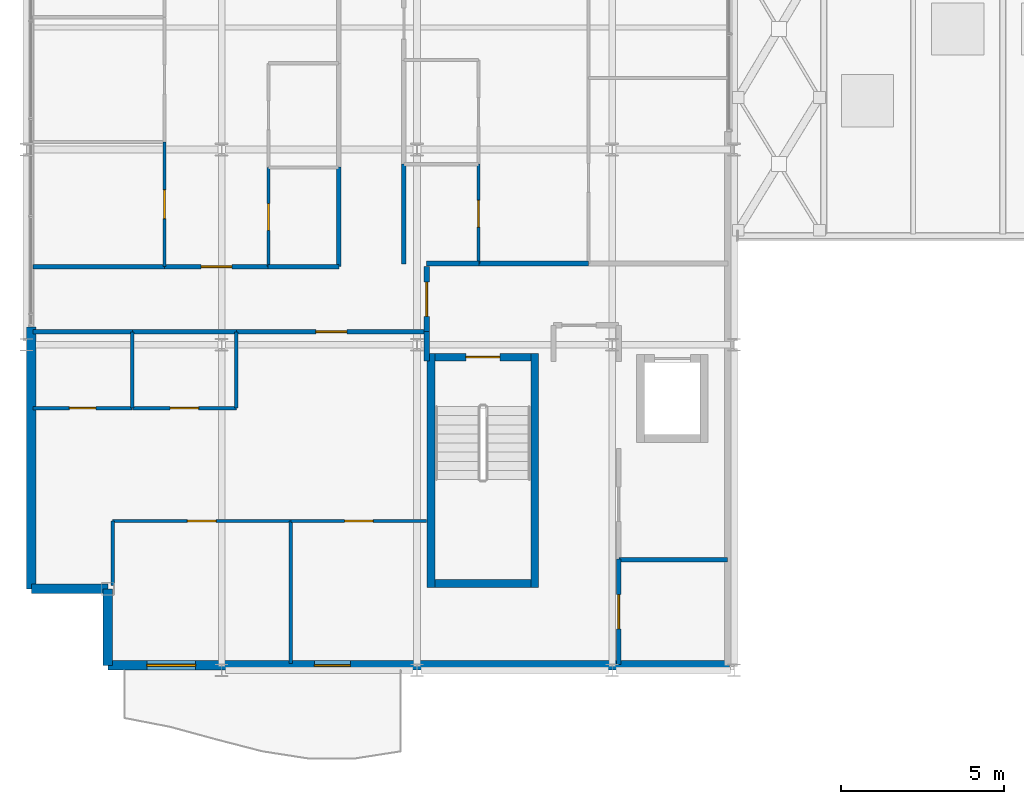
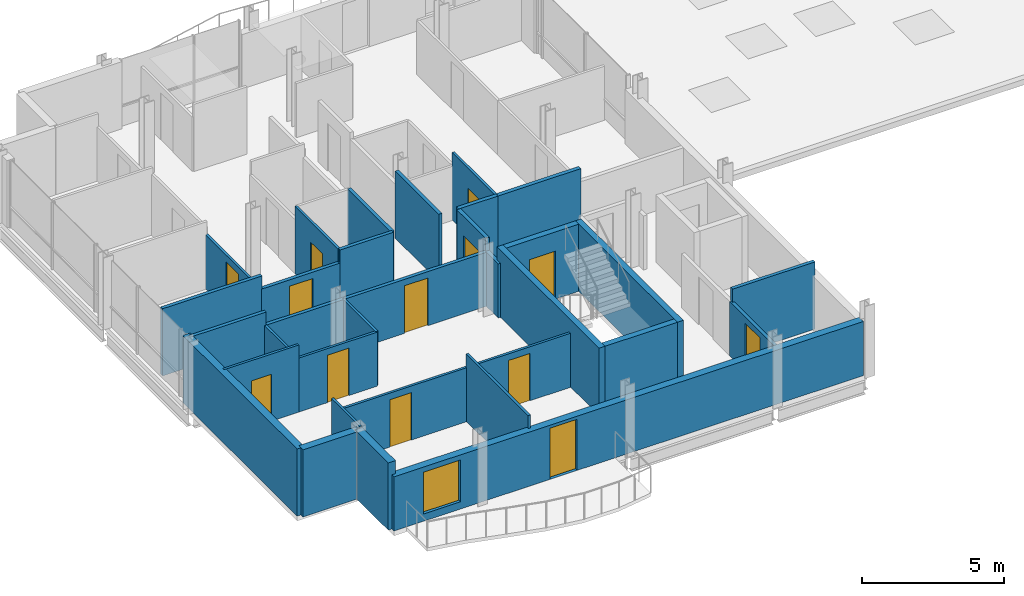
# One storey, part 27 of 33: 33 walls, 13 doors, 1 window, 14 openings.
"""IFC4 building model written with IfcOpenShell, lengths in metres."""

from ifc_helpers import new_model, si_unit, direction, frame, frame_2d, origin, place, context, subcontext, project, spatial, rectangle, extrude, material, layer, layer_set, type_object, element, fill, save


model = new_model("IFC4")

# Units and contexts
model_context = context("Model", 3, precision=1e-05, world=origin(), true_north=direction((0.0, 1.0)))
body_context = subcontext(model_context, "Body", "Model", "MODEL_VIEW")
ifc_project = project(units=[si_unit("LENGTHUNIT", "METRE"), si_unit("AREAUNIT", "SQUARE_METRE"), si_unit("VOLUMEUNIT", "CUBIC_METRE"), si_unit("PLANEANGLEUNIT", "RADIAN"), si_unit("MASSUNIT", "GRAM", prefix="KILO")], contexts=[model_context])

# Site, building, storey
site_placement = place(None, origin())
site = spatial("IfcSite", under=ifc_project, at=site_placement, CompositionType="ELEMENT")
building_placement = place(site_placement, origin())
building = spatial("IfcBuilding", under=site, at=building_placement, Name="Brevholm Reach", CompositionType="ELEMENT")
storey_placement = place(building_placement, frame((0.0, 0.0, 189.39990234375)))
storey = spatial("IfcBuildingStorey", under=building, at=storey_placement, Name="L57", CompositionType="ELEMENT", Elevation=189.39990234375)

# Walls
ifc_material_1 = material(Name="Concrete C45/55", Category="concrete")
ifc_layer_1 = layer(ifc_material_1, 0.239990234375)
ifc_layer_set_1 = layer_set([ifc_layer_1], Name="Concrete C45/55")
wall_type_1 = type_object("IfcWallType", Name="WAL-COR-240", PredefinedType="SHEAR", material=ifc_layer_set_1)
for number, where, z_axis, x_axis, name in (
    (1, (12.429931640625, 2.5400390625, 0.0), (0.0, 0.0, 1.0), (0.0, 1.0, 0.0), "L57 Escape Stair ST-1 Core Wall W"),
    (2, (15.6201171875, 2.5400390625, 0.0), (0.0, 0.0, 1.0), (0.0, 1.0, 0.0), "L57 Escape Stair ST-1 Core Wall E"),
):
    element("IfcWall", number, at=place(storey_placement, frame(where, z_axis=z_axis, x_axis=x_axis)), inside=storey, type_object=wall_type_1, Name=name, PredefinedType="SHEAR", context=body_context, shape_type="SweptSolid", body=[
        extrude(rectangle(XDim=7.199951171875, YDim=0.239990234375, at=frame_2d((3.60009765625, 0.0))), origin(), (0.0, 0.0, 1.0), 2.89013671875),
    ])
wall_1_placement = place(storey_placement, frame((12.550048828125, 2.659912109375, 0.0), z_axis=(0.0, 0.0, 1.0), x_axis=(1.0, 0.0, 0.0)))
element("IfcWall", 3, at=wall_1_placement, inside=storey, type_object=wall_type_1, Name="L57 Escape Stair ST-1 Core Wall S", PredefinedType="SHEAR", context=body_context, shape_type="SweptSolid", body=[
    extrude(rectangle(XDim=2.949951171875, YDim=0.239990234375, at=frame_2d((1.47509765625, 0.0))), origin(), (0.0, 0.0, 1.0), 2.89013671875),
])

# Wall, opening, door
wall_2_placement = place(storey_placement, frame((15.5, 9.6201171875, 0.0), z_axis=(0.0, 0.0, 1.0), x_axis=(-1.0, 0.0, 0.0)))
wall_2 = element("IfcWall", 4, at=wall_2_placement, inside=storey, type_object=wall_type_1, Name="L57 Escape Stair ST-1 Core Wall N", PredefinedType="SHEAR", context=body_context, shape_type="SweptSolid", body=[
    extrude(rectangle(XDim=2.949951171875, YDim=0.239990234375, at=frame_2d((1.47509765625, 0.0))), origin(), (0.0, 0.0, 1.0), 2.89013671875),
])
opening_1_placement = place(wall_2_placement, frame((0.949951171875, 0.0, 0.0)))
opening_1 = element("IfcOpeningElement", 5, at=opening_1_placement, cuts=wall_2, Name="Opening SD-ST-1", PredefinedType="OPENING", context=body_context, shape_type="SweptSolid", body=[
    extrude(rectangle(XDim=1.050048828125, YDim=2.06005859375, at=frame_2d((0.52490234375, 1.030029296875))), frame((0.0, 0.1298828125, 0.0), z_axis=(0.0, -1.0, 0.0), x_axis=(1.0, 0.0, 0.0)), (0.0, 0.0, 1.0), 0.260009765625),
])
ifc_material_2 = material(Name="Hardwood-Lipped Steel-Core Fire and Smoke Door", Category="steel")
door_type_1 = type_object("IfcDoorType", Name="DOR-INT-FD60S", OperationType="NOTDEFINED", PredefinedType="DOOR", material=ifc_material_2)
door_1_placement = place(opening_1_placement, origin())
door_1 = element("IfcDoor", 6, at=door_1_placement, inside=storey, type_object=door_type_1, Name="L57 Protected Stair ST-1 Lobby Door", OperationType="SINGLE_SWING_LEFT", OverallHeight=2.06005859375, OverallWidth=1.050048828125, PredefinedType="DOOR", context=body_context, shape_type="SweptSolid", body=[
    extrude(rectangle(XDim=1.050048828125, YDim=2.06005859375, at=frame_2d((0.52490234375, 1.030029296875))), frame((0.0, 0.02490234375, 0.0), z_axis=(0.0, -1.0, 0.0), x_axis=(1.0, 0.0, 0.0)), (0.0, 0.0, 1.0), 0.050048828125),
])
fill(opening_1, door_1)

# Walls
ifc_material_3 = material(Name="Concrete C40/50", Category="concrete")
ifc_layer_2 = layer(ifc_material_3, 0.300048828125)
ifc_layer_set_2 = layer_set([ifc_layer_2], Name="Concrete C40/50")
wall_type_2 = type_object("IfcWallType", Name="WAL-EXT-300", PredefinedType="STANDARD", material=ifc_layer_set_2)
for number, where, z_axis, x_axis, name in (
    (7, (2.5, 2.5, 0.0), (0.0, 0.0, 1.0), (0.0, -1.0, 0.0), "L57 Facade Wall WAL-L57-WW-CSW1"),
    (8, (0.14990234375, 2.5, 0.0), (0.0, 0.0, 1.0), (1.0, 0.0, 0.0), "L57 Facade Wall WAL-L57-WW-CSW2"),
):
    element("IfcWall", number, at=place(storey_placement, frame(where, z_axis=z_axis, x_axis=x_axis)), inside=storey, type_object=wall_type_2, Name=name, PredefinedType="STANDARD", context=body_context, shape_type="SweptSolid", body=[
        extrude(rectangle(XDim=2.35009765625, YDim=0.300048828125, at=frame_2d((1.175048828125, 0.0))), origin(), (0.0, 0.0, 1.0), 2.89013671875),
    ])

# Wall, openings, door, window
wall_3_placement = place(storey_placement, frame((2.5, 0.14990234375, 0.0), z_axis=(0.0, 0.0, 1.0), x_axis=(1.0, 0.0, 0.0)))
wall_3 = element("IfcWall", 9, at=wall_3_placement, inside=storey, type_object=wall_type_2, Name="L57 Facade Wall WAL-L57-WW-S", PredefinedType="STANDARD", context=body_context, shape_type="SweptSolid", body=[
    extrude(rectangle(XDim=19.10009765625, YDim=0.300048828125, at=frame_2d((9.550048828125, 0.0))), origin(), (0.0, 0.0, 1.0), 2.33203125),
])
opening_2_placement = place(wall_3_placement, frame((6.35009765625, 0.0, 0.0)))
opening_2 = element("IfcOpeningElement", 10, at=opening_2_placement, cuts=wall_3, Name="Opening BD-01", PredefinedType="OPENING", context=body_context, shape_type="SweptSolid", body=[
    extrude(rectangle(XDim=1.10009765625, YDim=2.199951171875, at=frame_2d((0.550048828125, 1.10009765625))), frame((0.0, 0.159912109375, 0.0), z_axis=(0.0, -1.0, 0.0), x_axis=(1.0, 0.0, 0.0)), (0.0, 0.0, 1.0), 0.320068359375),
])
opening_3_placement = place(wall_3_placement, frame((1.199951171875, 0.0, 0.31201171875)))
opening_3 = element("IfcOpeningElement", 11, at=opening_3_placement, cuts=wall_3, Name="Opening WN-05", PredefinedType="OPENING", context=body_context, shape_type="SweptSolid", body=[
    extrude(rectangle(XDim=1.5, YDim=1.800048828125, at=frame_2d((0.75, 0.89990234375))), frame((0.0, 0.159912109375, 0.0), z_axis=(0.0, -1.0, 0.0), x_axis=(1.0, 0.0, 0.0)), (0.0, 0.0, 1.0), 0.320068359375),
])
ifc_material_4 = material(Name="Dark Anodised Aluminium and Triple-Glazed Glass", Category="aluminium")
door_type_2 = type_object("IfcDoorType", Name="DOR-BALC-1100", OperationType="NOTDEFINED", PredefinedType="DOOR", material=ifc_material_4)
door_2_placement = place(opening_2_placement, origin())
door_2 = element("IfcDoor", 12, at=door_2_placement, inside=storey, type_object=door_type_2, Name="L57 Exterior Door DOR-L57-BL-SW", OperationType="SINGLE_SWING_LEFT", OverallHeight=2.199951171875, OverallWidth=1.10009765625, PredefinedType="DOOR", context=body_context, shape_type="SweptSolid", body=[
    extrude(rectangle(XDim=1.10009765625, YDim=2.199951171875, at=frame_2d((0.550048828125, 1.10009765625))), frame((0.0, 0.02490234375, 0.0), z_axis=(0.0, -1.0, 0.0), x_axis=(1.0, 0.0, 0.0)), (0.0, 0.0, 1.0), 0.050048828125),
])
fill(opening_2, door_2)
ifc_material_5 = material(Name="Dark Anodised Aluminium and Solar-Control IGU Glass", Category="aluminium")
window_type = type_object("IfcWindowType", Name="WIN-RES-1500", PartitioningType="SINGLE_PANEL", PredefinedType="WINDOW", material=ifc_material_5)
window_placement = place(opening_3_placement, origin())
window = element("IfcWindow", 13, at=window_placement, inside=storey, type_object=window_type, Name="L57 Window WIN-L57-WWS-1", OverallHeight=1.800048828125, OverallWidth=1.5, PartitioningType="SINGLE_PANEL", PredefinedType="WINDOW", context=body_context, shape_type="SweptSolid", body=[
    extrude(rectangle(XDim=1.5, YDim=1.800048828125, at=frame_2d((0.75, 0.89990234375))), frame((0.0, 0.030029296875, 0.0), z_axis=(0.0, -1.0, 0.0), x_axis=(1.0, 0.0, 0.0)), (0.0, 0.0, 1.0), 0.06005859375),
])
fill(opening_3, window)

# Walls
wall_4_placement = place(storey_placement, frame((0.14990234375, 10.550048828125, 0.0), z_axis=(0.0, 0.0, 1.0), x_axis=(0.0, -1.0, 0.0)))
element("IfcWall", 14, at=wall_4_placement, inside=storey, type_object=wall_type_2, Name="L57 Facade Wall WAL-L57-WW-WS", PredefinedType="STANDARD", context=body_context, shape_type="SweptSolid", body=[
    extrude(rectangle(XDim=8.050048828125, YDim=0.300048828125, at=frame_2d((4.02490234375, 0.0))), origin(), (0.0, 0.0, 1.0), 2.89013671875),
])
ifc_material_6 = material(Name="Moisture-Resistant Acoustic Gypsum Stud Partition 100 mm", Category="gypsum")
ifc_layer_3 = layer(ifc_material_6, 0.10009765625)
ifc_layer_set_3 = layer_set([ifc_layer_3], Name="Moisture-Resistant Acoustic Gypsum Stud Partition 100 mm")
wall_type_3 = type_object("IfcWallType", Name="WAL-PRT-100", PredefinedType="PARTITIONING", material=ifc_layer_set_3)
wall_5_placement = place(storey_placement, frame((3.25, 8.053955078125, 0.0), z_axis=(0.0, 0.0, 1.0), x_axis=(0.0, 1.0, 0.0)))
element("IfcWall", 15, at=wall_5_placement, inside=storey, type_object=wall_type_3, Name="L57 Internal Partition 040", PredefinedType="PARTITIONING", context=body_context, shape_type="SweptSolid", body=[
    extrude(rectangle(XDim=2.342041015625, YDim=0.10009765625, at=frame_2d((1.1708984375, 0.0))), origin(), (0.0, 0.0, 1.0), 2.32568359375),
])

# Wall, opening, door
wall_6_placement = place(storey_placement, frame((0.199951171875, 8.053955078125, 0.0), z_axis=(0.0, 0.0, 1.0), x_axis=(1.0, 0.0, 0.0)))
wall_6 = element("IfcWall", 16, at=wall_6_placement, inside=storey, type_object=wall_type_3, Name="L57 Internal Partition 041", PredefinedType="PARTITIONING", context=body_context, shape_type="SweptSolid", body=[
    extrude(rectangle(XDim=3.050048828125, YDim=0.10009765625, at=frame_2d((1.52490234375, 0.0))), origin(), (0.0, 0.0, 1.0), 2.89013671875),
])
opening_4_placement = place(wall_6_placement, frame((1.114990234375, 0.0, 0.0)))
opening_4 = element("IfcOpeningElement", 17, at=opening_4_placement, cuts=wall_6, Name="Opening ID-03", PredefinedType="OPENING", context=body_context, shape_type="SweptSolid", body=[
    extrude(rectangle(XDim=0.820068359375, YDim=2.02001953125, at=frame_2d((0.41015625, 1.010009765625))), frame((0.0, 0.06005859375, 0.0), z_axis=(0.0, -1.0, 0.0), x_axis=(1.0, 0.0, 0.0)), (0.0, 0.0, 1.0), 0.1201171875),
])
ifc_material_7 = material(Name="Moisture-Resistant Painted Timber Internal Bathroom Door", Category="wood")
door_type_3 = type_object("IfcDoorType", Name="DOR-BATH-820", OperationType="NOTDEFINED", PredefinedType="DOOR", material=ifc_material_7)
door_3_placement = place(opening_4_placement, origin())
door_3 = element("IfcDoor", 18, at=door_3_placement, inside=storey, type_object=door_type_3, Name="L57 Internal Door 016", OperationType="SINGLE_SWING_RIGHT", OverallHeight=2.02001953125, OverallWidth=0.820068359375, PredefinedType="DOOR", context=body_context, shape_type="SweptSolid", body=[
    extrude(rectangle(XDim=0.820068359375, YDim=2.02001953125, at=frame_2d((0.41015625, 1.010009765625))), frame((0.0, 0.02490234375, 0.0), z_axis=(0.0, -1.0, 0.0), x_axis=(1.0, 0.0, 0.0)), (0.0, 0.0, 1.0), 0.050048828125),
])
fill(opening_4, door_3)

wall_7_placement = place(storey_placement, frame((3.25390625, 8.053955078125, 0.0), z_axis=(0.0, 0.0, 1.0), x_axis=(1.0, 0.0, 0.0)))
wall_7 = element("IfcWall", 19, at=wall_7_placement, inside=storey, type_object=wall_type_3, Name="L57 Internal Partition 042", PredefinedType="PARTITIONING", context=body_context, shape_type="SweptSolid", body=[
    extrude(rectangle(XDim=3.196044921875, YDim=0.10009765625, at=frame_2d((1.59814453125, 0.0))), origin(), (0.0, 0.0, 1.0), 2.32568359375),
])
opening_5_placement = place(wall_7_placement, frame((1.157958984375, 0.0, 0.0)))
opening_5 = element("IfcOpeningElement", 20, at=opening_5_placement, cuts=wall_7, Name="Opening ID-01", PredefinedType="OPENING", context=body_context, shape_type="SweptSolid", body=[
    extrude(rectangle(XDim=0.8798828125, YDim=2.0400390625, at=frame_2d((0.43994140625, 1.02001953125))), frame((0.0, 0.06005859375, 0.0), z_axis=(0.0, -1.0, 0.0), x_axis=(1.0, 0.0, 0.0)), (0.0, 0.0, 1.0), 0.1201171875),
])
ifc_material_8 = material(Name="Lacquered Ash Solid-Core Acoustic Internal Door", Category="timber")
door_type_4 = type_object("IfcDoorType", Name="DOR-INT-880", OperationType="NOTDEFINED", PredefinedType="DOOR", material=ifc_material_8)
door_4_placement = place(opening_5_placement, origin())
door_4 = element("IfcDoor", 21, at=door_4_placement, inside=storey, type_object=door_type_4, Name="L57 Internal Door 017", OperationType="SINGLE_SWING_LEFT", OverallHeight=2.0400390625, OverallWidth=0.8798828125, PredefinedType="DOOR", context=body_context, shape_type="SweptSolid", body=[
    extrude(rectangle(XDim=0.8798828125, YDim=2.0400390625, at=frame_2d((0.43994140625, 1.02001953125))), frame((0.0, 0.02490234375, 0.0), z_axis=(0.0, -1.0, 0.0), x_axis=(1.0, 0.0, 0.0)), (0.0, 0.0, 1.0), 0.050048828125),
])
fill(opening_5, door_4)

# Walls
wall_8_placement = place(storey_placement, frame((6.449951171875, 8.053955078125, 0.0), z_axis=(0.0, 0.0, 1.0), x_axis=(0.0, 1.0, 0.0)))
element("IfcWall", 22, at=wall_8_placement, inside=storey, type_object=wall_type_3, Name="L57 Internal Partition 043", PredefinedType="PARTITIONING", context=body_context, shape_type="SweptSolid", body=[
    extrude(rectangle(XDim=2.342041015625, YDim=0.10009765625, at=frame_2d((1.1708984375, 0.0))), origin(), (0.0, 0.0, 1.0), 2.32568359375),
])
wall_9_placement = place(storey_placement, frame((8.125, 0.199951171875, 0.0), z_axis=(0.0, 0.0, 1.0), x_axis=(0.0, 1.0, 0.0)))
element("IfcWall", 23, at=wall_9_placement, inside=storey, type_object=wall_type_3, Name="L57 Internal Partition 044", PredefinedType="PARTITIONING", context=body_context, shape_type="SweptSolid", body=[
    extrude(rectangle(XDim=4.385986328125, YDim=0.10009765625, at=frame_2d((2.19287109375, 0.0))), origin(), (0.0, 0.0, 1.0), 2.89013671875),
])
wall_10_placement = place(storey_placement, frame((2.64990234375, 2.599365234375, 0.0), z_axis=(0.0, 0.0, 1.0), x_axis=(0.0, 1.0, 0.0)))
element("IfcWall", 24, at=wall_10_placement, inside=storey, type_object=wall_type_3, Name="L57 Internal Partition 045", PredefinedType="PARTITIONING", context=body_context, shape_type="SweptSolid", body=[
    extrude(rectangle(XDim=1.986572265625, YDim=0.10009765625, at=frame_2d((0.9931640625, 0.0))), origin(), (0.0, 0.0, 1.0), 2.89013671875),
])

# Wall, opening, door
wall_11_placement = place(storey_placement, frame((2.64990234375, 4.5859375, 0.0), z_axis=(0.0, 0.0, 1.0), x_axis=(1.0, 0.0, 0.0)))
wall_11 = element("IfcWall", 25, at=wall_11_placement, inside=storey, type_object=wall_type_3, Name="L57 Internal Partition 046", PredefinedType="PARTITIONING", context=body_context, shape_type="SweptSolid", body=[
    extrude(rectangle(XDim=5.47509765625, YDim=0.10009765625, at=frame_2d((2.737548828125, 0.0))), origin(), (0.0, 0.0, 1.0), 2.32568359375),
])
opening_6_placement = place(wall_11_placement, frame((2.297607421875, 0.0, 0.0)))
opening_6 = element("IfcOpeningElement", 26, at=opening_6_placement, cuts=wall_11, Name="Opening ID-01", PredefinedType="OPENING", context=body_context, shape_type="SweptSolid", body=[
    extrude(rectangle(XDim=0.8798828125, YDim=2.0400390625, at=frame_2d((0.43994140625, 1.02001953125))), frame((0.0, 0.06005859375, 0.0), z_axis=(0.0, -1.0, 0.0), x_axis=(1.0, 0.0, 0.0)), (0.0, 0.0, 1.0), 0.1201171875),
])
door_5_placement = place(opening_6_placement, origin())
door_5 = element("IfcDoor", 27, at=door_5_placement, inside=storey, type_object=door_type_4, Name="L57 Internal Door 018", OperationType="SINGLE_SWING_RIGHT", OverallHeight=2.0400390625, OverallWidth=0.8798828125, PredefinedType="DOOR", context=body_context, shape_type="SweptSolid", body=[
    extrude(rectangle(XDim=0.8798828125, YDim=2.0400390625, at=frame_2d((0.43994140625, 1.02001953125))), frame((0.0, 0.02490234375, 0.0), z_axis=(0.0, -1.0, 0.0), x_axis=(1.0, 0.0, 0.0)), (0.0, 0.0, 1.0), 0.050048828125),
])
fill(opening_6, door_5)

wall_12_placement = place(storey_placement, frame((8.12890625, 4.5859375, 0.0), z_axis=(0.0, 0.0, 1.0), x_axis=(1.0, 0.0, 0.0)))
wall_12 = element("IfcWall", 28, at=wall_12_placement, inside=storey, type_object=wall_type_3, Name="L57 Internal Partition 047", PredefinedType="PARTITIONING", context=body_context, shape_type="SweptSolid", body=[
    extrude(rectangle(XDim=4.171142578125, YDim=0.10009765625, at=frame_2d((2.08544921875, 0.0))), origin(), (0.0, 0.0, 1.0), 2.32568359375),
])
opening_7_placement = place(wall_12_placement, frame((1.6455078125, 0.0, 0.0)))
opening_7 = element("IfcOpeningElement", 29, at=opening_7_placement, cuts=wall_12, Name="Opening ID-01", PredefinedType="OPENING", context=body_context, shape_type="SweptSolid", body=[
    extrude(rectangle(XDim=0.8798828125, YDim=2.0400390625, at=frame_2d((0.43994140625, 1.02001953125))), frame((0.0, 0.06005859375, 0.0), z_axis=(0.0, -1.0, 0.0), x_axis=(1.0, 0.0, 0.0)), (0.0, 0.0, 1.0), 0.1201171875),
])
door_6_placement = place(opening_7_placement, origin())
door_6 = element("IfcDoor", 30, at=door_6_placement, inside=storey, type_object=door_type_4, Name="L57 Internal Door 019", OperationType="SINGLE_SWING_LEFT", OverallHeight=2.0400390625, OverallWidth=0.8798828125, PredefinedType="DOOR", context=body_context, shape_type="SweptSolid", body=[
    extrude(rectangle(XDim=0.8798828125, YDim=2.0400390625, at=frame_2d((0.43994140625, 1.02001953125))), frame((0.0, 0.02490234375, 0.0), z_axis=(0.0, -1.0, 0.0), x_axis=(1.0, 0.0, 0.0)), (0.0, 0.0, 1.0), 0.050048828125),
])
fill(opening_7, door_6)

wall_13_placement = place(storey_placement, frame((7.43798828125, 12.404052734375, 0.0), z_axis=(0.0, 0.0, 1.0), x_axis=(0.0, 1.0, 0.0)))
wall_13 = element("IfcWall", 31, at=wall_13_placement, inside=storey, type_object=wall_type_3, Name="L57 Internal Partition 049", PredefinedType="PARTITIONING", context=body_context, shape_type="SweptSolid", body=[
    extrude(rectangle(XDim=3.0458984375, YDim=0.10009765625, at=frame_2d((1.52294921875, 0.0))), origin(), (0.0, 0.0, 1.0), 2.89013671875),
])
opening_8_placement = place(wall_13_placement, frame((1.113037109375, 0.0, 0.0)))
opening_8 = element("IfcOpeningElement", 32, at=opening_8_placement, cuts=wall_13, Name="Opening ID-03", PredefinedType="OPENING", context=body_context, shape_type="SweptSolid", body=[
    extrude(rectangle(XDim=0.820068359375, YDim=2.02001953125, at=frame_2d((0.41015625, 1.010009765625))), frame((0.0, 0.06005859375, 0.0), z_axis=(0.0, -1.0, 0.0), x_axis=(1.0, 0.0, 0.0)), (0.0, 0.0, 1.0), 0.1201171875),
])
door_7_placement = place(opening_8_placement, origin())
door_7 = element("IfcDoor", 33, at=door_7_placement, inside=storey, type_object=door_type_3, Name="L57 Internal Door 020", OperationType="SINGLE_SWING_RIGHT", OverallHeight=2.02001953125, OverallWidth=0.820068359375, PredefinedType="DOOR", context=body_context, shape_type="SweptSolid", body=[
    extrude(rectangle(XDim=0.820068359375, YDim=2.02001953125, at=frame_2d((0.41015625, 1.010009765625))), frame((0.0, 0.02490234375, 0.0), z_axis=(0.0, -1.0, 0.0), x_axis=(1.0, 0.0, 0.0)), (0.0, 0.0, 1.0), 0.050048828125),
])
fill(opening_8, door_7)

wall_14_placement = place(storey_placement, frame((4.241943359375, 12.404052734375, 0.0), z_axis=(0.0, 0.0, 1.0), x_axis=(0.0, 1.0, 0.0)))
wall_14 = element("IfcWall", 34, at=wall_14_placement, inside=storey, type_object=wall_type_3, Name="L57 Internal Partition 055", PredefinedType="PARTITIONING", context=body_context, shape_type="SweptSolid", body=[
    extrude(rectangle(XDim=3.828857421875, YDim=0.10009765625, at=frame_2d((1.91455078125, 0.0))), origin(), (0.0, 0.0, 1.0), 2.32568359375),
])
opening_9_placement = place(wall_14_placement, frame((1.474609375, 0.0, 0.0)))
opening_9 = element("IfcOpeningElement", 35, at=opening_9_placement, cuts=wall_14, Name="Opening ID-01", PredefinedType="OPENING", context=body_context, shape_type="SweptSolid", body=[
    extrude(rectangle(XDim=0.8798828125, YDim=2.0400390625, at=frame_2d((0.43994140625, 1.02001953125))), frame((0.0, 0.06005859375, 0.0), z_axis=(0.0, -1.0, 0.0), x_axis=(1.0, 0.0, 0.0)), (0.0, 0.0, 1.0), 0.1201171875),
])
door_8_placement = place(opening_9_placement, origin())
door_8 = element("IfcDoor", 36, at=door_8_placement, inside=storey, type_object=door_type_4, Name="L57 Internal Door 023", OperationType="SINGLE_SWING_LEFT", OverallHeight=2.0400390625, OverallWidth=0.8798828125, PredefinedType="DOOR", context=body_context, shape_type="SweptSolid", body=[
    extrude(rectangle(XDim=0.8798828125, YDim=2.0400390625, at=frame_2d((0.43994140625, 1.02001953125))), frame((0.0, 0.02490234375, 0.0), z_axis=(0.0, -1.0, 0.0), x_axis=(1.0, 0.0, 0.0)), (0.0, 0.0, 1.0), 0.050048828125),
])
fill(opening_9, door_8)

wall_15_placement = place(storey_placement, frame((13.888916015625, 12.50390625, 0.0), z_axis=(0.0, 0.0, 1.0), x_axis=(0.0, 1.0, 0.0)))
wall_15 = element("IfcWall", 37, at=wall_15_placement, inside=storey, type_object=wall_type_3, Name="L57 Internal Partition 061", PredefinedType="PARTITIONING", context=body_context, shape_type="SweptSolid", body=[
    extrude(rectangle(XDim=3.046142578125, YDim=0.10009765625, at=frame_2d((1.52294921875, 0.0))), origin(), (0.0, 0.0, 1.0), 2.89013671875),
])
opening_10_placement = place(wall_15_placement, frame((1.113037109375, 0.0, 0.0)))
opening_10 = element("IfcOpeningElement", 38, at=opening_10_placement, cuts=wall_15, Name="Opening ID-03", PredefinedType="OPENING", context=body_context, shape_type="SweptSolid", body=[
    extrude(rectangle(XDim=0.820068359375, YDim=2.02001953125, at=frame_2d((0.41015625, 1.010009765625))), frame((0.0, 0.06005859375, 0.0), z_axis=(0.0, -1.0, 0.0), x_axis=(1.0, 0.0, 0.0)), (0.0, 0.0, 1.0), 0.1201171875),
])
door_9_placement = place(opening_10_placement, origin())
door_9 = element("IfcDoor", 39, at=door_9_placement, inside=storey, type_object=door_type_3, Name="L57 Internal Door 026", OperationType="SINGLE_SWING_RIGHT", OverallHeight=2.02001953125, OverallWidth=0.820068359375, PredefinedType="DOOR", context=body_context, shape_type="SweptSolid", body=[
    extrude(rectangle(XDim=0.820068359375, YDim=2.02001953125, at=frame_2d((0.41015625, 1.010009765625))), frame((0.0, 0.02490234375, 0.0), z_axis=(0.0, -1.0, 0.0), x_axis=(1.0, 0.0, 0.0)), (0.0, 0.0, 1.0), 0.050048828125),
])
fill(opening_10, door_9)

ifc_material_9 = material(Name="Twin-Stud Acoustic Fire-Rated Gypsum Partition 140 mm", Category="gypsum")
ifc_layer_4 = layer(ifc_material_9, 0.139892578125)
ifc_layer_set_4 = layer_set([ifc_layer_4], Name="Twin-Stud Acoustic Fire-Rated Gypsum Partition 140 mm")
wall_type_4 = type_object("IfcWallType", Name="WAL-PRT-140", PredefinedType="PARTITIONING", material=ifc_layer_set_4)
wall_16_placement = place(storey_placement, frame((18.199951171875, 0.179931640625, 0.0), z_axis=(0.0, 0.0, 1.0), x_axis=(0.0, 1.0, 0.0)))
wall_16 = element("IfcWall", 40, at=wall_16_placement, inside=storey, type_object=wall_type_4, Name="L57 Internal Partition 001", PredefinedType="PARTITIONING", context=body_context, shape_type="SweptSolid", body=[
    extrude(rectangle(XDim=3.2314453125, YDim=0.139892578125, at=frame_2d((1.61572265625, 0.0))), origin(), (0.0, 0.0, 1.0), 2.32568359375),
])
opening_11_placement = place(wall_16_placement, frame((1.0908203125, 0.0, 0.0)))
opening_11 = element("IfcOpeningElement", 41, at=opening_11_placement, cuts=wall_16, Name="Opening FD-01", PredefinedType="OPENING", context=body_context, shape_type="SweptSolid", body=[
    extrude(rectangle(XDim=1.050048828125, YDim=2.06005859375, at=frame_2d((0.52490234375, 1.030029296875))), frame((0.0, 0.079833984375, 0.0), z_axis=(0.0, -1.0, 0.0), x_axis=(1.0, 0.0, 0.0)), (0.0, 0.0, 1.0), 0.159912109375),
])
door_10_placement = place(opening_11_placement, origin())
door_10 = element("IfcDoor", 42, at=door_10_placement, inside=storey, type_object=door_type_1, Name="L57 Internal Door 001", OperationType="SINGLE_SWING_LEFT", OverallHeight=2.06005859375, OverallWidth=1.050048828125, PredefinedType="DOOR", context=body_context, shape_type="SweptSolid", body=[
    extrude(rectangle(XDim=1.050048828125, YDim=2.06005859375, at=frame_2d((0.52490234375, 1.030029296875))), frame((0.0, 0.02490234375, 0.0), z_axis=(0.0, -1.0, 0.0), x_axis=(1.0, 0.0, 0.0)), (0.0, 0.0, 1.0), 0.050048828125),
])
fill(opening_11, door_10)

# Walls
wall_17_placement = place(storey_placement, frame((18.2041015625, 3.39990234375, 0.0), z_axis=(0.0, 0.0, 1.0), x_axis=(1.0, 0.0, 0.0)))
element("IfcWall", 43, at=wall_17_placement, inside=storey, type_object=wall_type_4, Name="L57 Internal Partition 011", PredefinedType="PARTITIONING", context=body_context, shape_type="SweptSolid", body=[
    extrude(rectangle(XDim=3.345947265625, YDim=0.139892578125, at=frame_2d((1.6728515625, 0.0))), origin(), (0.0, 0.0, 1.0), 2.89013671875),
])
wall_18_placement = place(storey_placement, frame((0.199951171875, 10.39990234375, 0.0), z_axis=(0.0, 0.0, 1.0), x_axis=(1.0, 0.0, 0.0)))
element("IfcWall", 44, at=wall_18_placement, inside=storey, type_object=wall_type_4, Name="L57 Internal Partition 018", PredefinedType="PARTITIONING", context=body_context, shape_type="SweptSolid", body=[
    extrude(rectangle(XDim=3.061279296875, YDim=0.139892578125, at=frame_2d((1.53076171875, 0.0))), origin(), (0.0, 0.0, 1.0), 2.89013671875),
])
wall_19_placement = place(storey_placement, frame((3.24267578125, 10.39990234375, 0.0), z_axis=(0.0, 0.0, 1.0), x_axis=(1.0, 0.0, 0.0)))
element("IfcWall", 45, at=wall_19_placement, inside=storey, type_object=wall_type_4, Name="L57 Internal Partition 019", PredefinedType="PARTITIONING", context=body_context, shape_type="SweptSolid", body=[
    extrude(rectangle(XDim=3.218505859375, YDim=0.139892578125, at=frame_2d((1.609375, 0.0))), origin(), (0.0, 0.0, 1.0), 2.32568359375),
])

# Wall, opening, door
wall_20_placement = place(storey_placement, frame((6.442626953125, 10.39990234375, 0.0), z_axis=(0.0, 0.0, 1.0), x_axis=(1.0, 0.0, 0.0)))
wall_20 = element("IfcWall", 46, at=wall_20_placement, inside=storey, type_object=wall_type_4, Name="L57 Internal Partition 020", PredefinedType="PARTITIONING", context=body_context, shape_type="SweptSolid", body=[
    extrude(rectangle(XDim=5.853271484375, YDim=0.139892578125, at=frame_2d((2.9267578125, 0.0))), origin(), (0.0, 0.0, 1.0), 2.32568359375),
])
opening_12_placement = place(wall_20_placement, frame((2.45166015625, 0.0, 0.0)))
opening_12 = element("IfcOpeningElement", 47, at=opening_12_placement, cuts=wall_20, Name="Opening ID-30", PredefinedType="OPENING", context=body_context, shape_type="SweptSolid", body=[
    extrude(rectangle(XDim=0.949951171875, YDim=2.050048828125, at=frame_2d((0.47509765625, 1.02490234375))), frame((0.0, 0.079833984375, 0.0), z_axis=(0.0, -1.0, 0.0), x_axis=(1.0, 0.0, 0.0)), (0.0, 0.0, 1.0), 0.159912109375),
])
ifc_material_10 = material(Name="European Oak Veneered Solid-Core Fire Entrance Door", Category="timber")
door_type_5 = type_object("IfcDoorType", Name="DOR-FLT-FD30S", OperationType="NOTDEFINED", PredefinedType="DOOR", material=ifc_material_10)
door_11_placement = place(opening_12_placement, origin())
door_11 = element("IfcDoor", 48, at=door_11_placement, inside=storey, type_object=door_type_5, Name="L57 Internal Door 009", OperationType="SINGLE_SWING_LEFT", OverallHeight=2.050048828125, OverallWidth=0.949951171875, PredefinedType="DOOR", context=body_context, shape_type="SweptSolid", body=[
    extrude(rectangle(XDim=0.949951171875, YDim=2.050048828125, at=frame_2d((0.47509765625, 1.02490234375))), frame((0.0, 0.02490234375, 0.0), z_axis=(0.0, -1.0, 0.0), x_axis=(1.0, 0.0, 0.0)), (0.0, 0.0, 1.0), 0.050048828125),
])
fill(opening_12, door_11)

# Walls
wall_21_placement = place(storey_placement, frame((7.4267578125, 12.39990234375, 0.0), z_axis=(0.0, 0.0, 1.0), x_axis=(1.0, 0.0, 0.0)))
element("IfcWall", 49, at=wall_21_placement, inside=storey, type_object=wall_type_4, Name="L57 Internal Partition 021", PredefinedType="PARTITIONING", context=body_context, shape_type="SweptSolid", body=[
    extrude(rectangle(XDim=2.1806640625, YDim=0.139892578125, at=frame_2d((1.09033203125, 0.0))), origin(), (0.0, 0.0, 1.0), 2.89013671875),
])
wall_22_placement = place(storey_placement, frame((0.199951171875, 12.39990234375, 0.0), z_axis=(0.0, 0.0, 1.0), x_axis=(1.0, 0.0, 0.0)))
element("IfcWall", 50, at=wall_22_placement, inside=storey, type_object=wall_type_4, Name="L57 Internal Partition 022", PredefinedType="PARTITIONING", context=body_context, shape_type="SweptSolid", body=[
    extrude(rectangle(XDim=4.053466796875, YDim=0.139892578125, at=frame_2d((2.02685546875, 0.0))), origin(), (0.0, 0.0, 1.0), 2.89013671875),
])

# Wall, opening, door
wall_23_placement = place(storey_placement, frame((4.234619140625, 12.39990234375, 0.0), z_axis=(0.0, 0.0, 1.0), x_axis=(1.0, 0.0, 0.0)))
wall_23 = element("IfcWall", 51, at=wall_23_placement, inside=storey, type_object=wall_type_4, Name="L57 Internal Partition 023", PredefinedType="PARTITIONING", context=body_context, shape_type="SweptSolid", body=[
    extrude(rectangle(XDim=3.210693359375, YDim=0.139892578125, at=frame_2d((1.60546875, 0.0))), origin(), (0.0, 0.0, 1.0), 2.32568359375),
])
opening_13_placement = place(wall_23_placement, frame((1.13037109375, 0.0, 0.0)))
opening_13 = element("IfcOpeningElement", 52, at=opening_13_placement, cuts=wall_23, Name="Opening ID-30", PredefinedType="OPENING", context=body_context, shape_type="SweptSolid", body=[
    extrude(rectangle(XDim=0.949951171875, YDim=2.050048828125, at=frame_2d((0.47509765625, 1.02490234375))), frame((0.0, 0.079833984375, 0.0), z_axis=(0.0, -1.0, 0.0), x_axis=(1.0, 0.0, 0.0)), (0.0, 0.0, 1.0), 0.159912109375),
])
door_12_placement = place(opening_13_placement, origin())
door_12 = element("IfcDoor", 53, at=door_12_placement, inside=storey, type_object=door_type_5, Name="L57 Internal Door 010", OperationType="SINGLE_SWING_RIGHT", OverallHeight=2.050048828125, OverallWidth=0.949951171875, PredefinedType="DOOR", context=body_context, shape_type="SweptSolid", body=[
    extrude(rectangle(XDim=0.949951171875, YDim=2.050048828125, at=frame_2d((0.47509765625, 1.02490234375))), frame((0.0, 0.02490234375, 0.0), z_axis=(0.0, -1.0, 0.0), x_axis=(1.0, 0.0, 0.0)), (0.0, 0.0, 1.0), 0.050048828125),
])
fill(opening_13, door_12)

# Walls
wall_24_placement = place(storey_placement, frame((9.60009765625, 12.404052734375, 0.0), z_axis=(0.0, 0.0, 1.0), x_axis=(0.0, 1.0, 0.0)))
element("IfcWall", 54, at=wall_24_placement, inside=storey, type_object=wall_type_4, Name="L57 Internal Partition 024", PredefinedType="PARTITIONING", context=body_context, shape_type="SweptSolid", body=[
    extrude(rectangle(XDim=3.05712890625, YDim=0.139892578125, at=frame_2d((1.528564453125, 0.0))), origin(), (0.0, 0.0, 1.0), 2.89013671875),
])
wall_25_placement = place(storey_placement, frame((11.60009765625, 12.48876953125, 0.0), z_axis=(0.0, 0.0, 1.0), x_axis=(0.0, 1.0, 0.0)))
element("IfcWall", 55, at=wall_25_placement, inside=storey, type_object=wall_type_4, Name="L57 Internal Partition 027", PredefinedType="PARTITIONING", context=body_context, shape_type="SweptSolid", body=[
    extrude(rectangle(XDim=3.072509765625, YDim=0.139892578125, at=frame_2d((1.5361328125, 0.0))), origin(), (0.0, 0.0, 1.0), 2.89013671875),
])

# Wall, opening, door
ifc_material_11 = material(Name="Twin-Frame Fire-Rated Gypsum Board and Mineral Wool 160 mm", Category="gypsum")
ifc_layer_5 = layer(ifc_material_11, 0.159912109375)
ifc_layer_set_5 = layer_set([ifc_layer_5], Name="Twin-Frame Fire-Rated Gypsum Board and Mineral Wool 160 mm")
wall_type_5 = type_object("IfcWallType", Name="WAL-PRT-160", PredefinedType="PARTITIONING", material=ifc_layer_set_5)
wall_26_placement = place(storey_placement, frame((12.300048828125, 10.388671875, 0.0), z_axis=(0.0, 0.0, 1.0), x_axis=(0.0, 1.0, 0.0)))
wall_26 = element("IfcWall", 56, at=wall_26_placement, inside=storey, type_object=wall_type_5, Name="L57 Internal Partition 013", PredefinedType="PARTITIONING", context=body_context, shape_type="SweptSolid", body=[
    extrude(rectangle(XDim=2.022705078125, YDim=0.159912109375, at=frame_2d((1.01123046875, 0.0))), origin(), (0.0, 0.0, 1.0), 2.89013671875),
])
opening_14_placement = place(wall_26_placement, frame((0.486328125, 0.0, 0.0)))
opening_14 = element("IfcOpeningElement", 57, at=opening_14_placement, cuts=wall_26, Name="Opening FD-01", PredefinedType="OPENING", context=body_context, shape_type="SweptSolid", body=[
    extrude(rectangle(XDim=1.050048828125, YDim=2.06005859375, at=frame_2d((0.52490234375, 1.030029296875))), frame((0.0, 0.08984375, 0.0), z_axis=(0.0, -1.0, 0.0), x_axis=(1.0, 0.0, 0.0)), (0.0, 0.0, 1.0), 0.179931640625),
])
door_13_placement = place(opening_14_placement, origin())
door_13 = element("IfcDoor", 58, at=door_13_placement, inside=storey, type_object=door_type_1, Name="L57 Internal Door 008", OperationType="SINGLE_SWING_RIGHT", OverallHeight=2.06005859375, OverallWidth=1.050048828125, PredefinedType="DOOR", context=body_context, shape_type="SweptSolid", body=[
    extrude(rectangle(XDim=1.050048828125, YDim=2.06005859375, at=frame_2d((0.52490234375, 1.030029296875))), frame((0.0, 0.02490234375, 0.0), z_axis=(0.0, -1.0, 0.0), x_axis=(1.0, 0.0, 0.0)), (0.0, 0.0, 1.0), 0.050048828125),
])
fill(opening_14, door_13)

# Walls
wall_27_placement = place(storey_placement, frame((12.300048828125, 9.5, 0.0), z_axis=(0.0, 0.0, 1.0), x_axis=(0.0, 1.0, 0.0)))
element("IfcWall", 59, at=wall_27_placement, inside=storey, type_object=wall_type_5, Name="L57 Internal Partition 014", PredefinedType="PARTITIONING", context=body_context, shape_type="SweptSolid", body=[
    extrude(rectangle(XDim=0.9072265625, YDim=0.159912109375, at=frame_2d((0.45361328125, 0.0))), origin(), (0.0, 0.0, 1.0), 2.32568359375),
])
wall_28_placement = place(storey_placement, frame((12.300048828125, 12.5, 0.0), z_axis=(0.0, 0.0, 1.0), x_axis=(1.0, 0.0, 0.0)))
element("IfcWall", 60, at=wall_28_placement, inside=storey, type_object=wall_type_5, Name="L57 Internal Partition 015", PredefinedType="PARTITIONING", context=body_context, shape_type="SweptSolid", body=[
    extrude(rectangle(XDim=1.600341796875, YDim=0.159912109375, at=frame_2d((0.80029296875, 0.0))), origin(), (0.0, 0.0, 1.0), 2.89013671875),
])
wall_29_placement = place(storey_placement, frame((13.881591796875, 12.5, 0.0), z_axis=(0.0, 0.0, 1.0), x_axis=(1.0, 0.0, 0.0)))
element("IfcWall", 61, at=wall_29_placement, inside=storey, type_object=wall_type_5, Name="L57 Internal Partition 017", PredefinedType="PARTITIONING", context=body_context, shape_type="SweptSolid", body=[
    extrude(rectangle(XDim=3.396728515625, YDim=0.159912109375, at=frame_2d((1.6982421875, 0.0))), origin(), (0.0, 0.0, 1.0), 2.89013671875),
])

save(model, "model.ifc")
